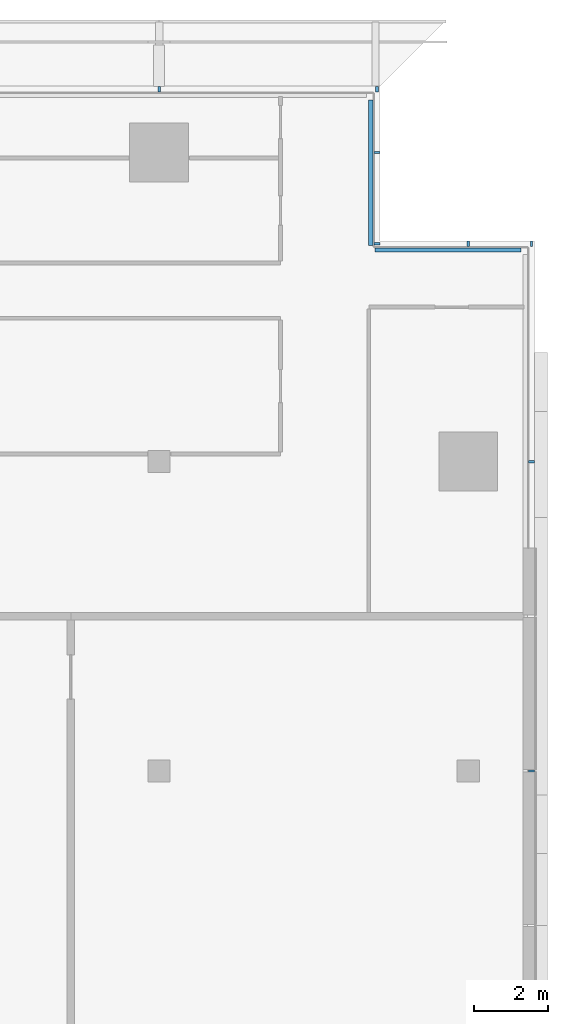
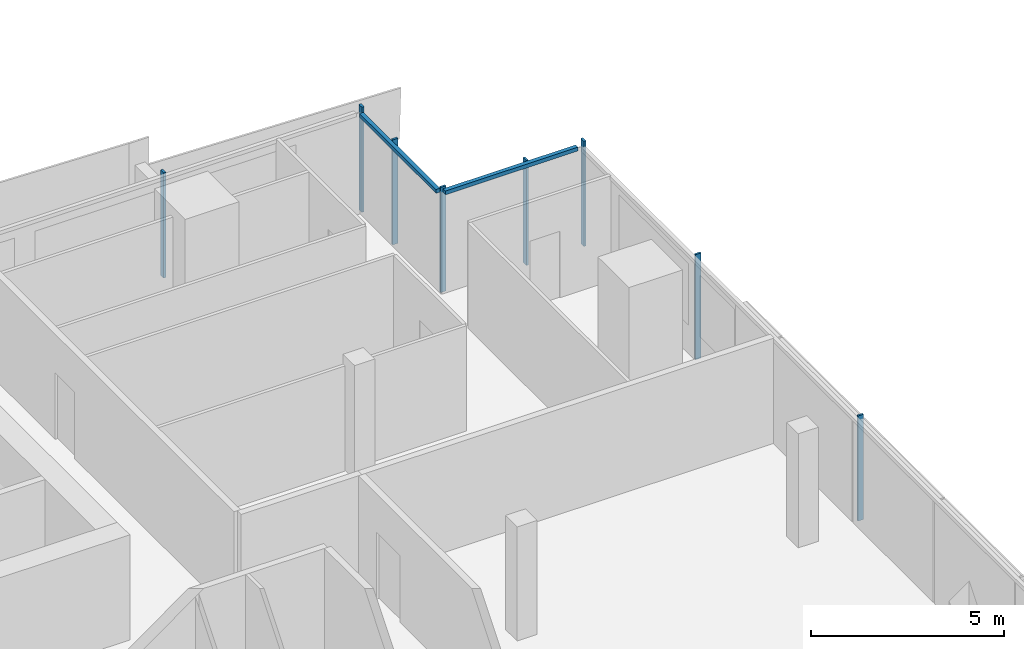
# One storey, part 16 of 31: 10 members, 4 elements without a shape of their own.
"""IFC4 building model written with IfcOpenShell, lengths in metres."""

from ifc_helpers import new_model, si_unit, direction, frame, origin, origin_2d, place, context, subcontext, project, spatial, rectangle, extrude, material, material_profile, profile_set, type_object, element, aggregate, save


model = new_model("IFC4")

# Units and contexts
model_context = context("Model", 3, precision=1e-05, world=origin(), true_north=direction((0.0, 1.0)))
body_context = subcontext(model_context, "Body", "Model", "MODEL_VIEW")
ifc_project = project(units=[si_unit("LENGTHUNIT", "METRE"), si_unit("AREAUNIT", "SQUARE_METRE"), si_unit("VOLUMEUNIT", "CUBIC_METRE"), si_unit("PLANEANGLEUNIT", "RADIAN"), si_unit("MASSUNIT", "GRAM", prefix="KILO")], contexts=[model_context])

# Site, building, storey
site_placement = place(None, origin())
site = spatial("IfcSite", under=ifc_project, at=site_placement, CompositionType="ELEMENT")
building_placement = place(site_placement, origin())
building = spatial("IfcBuilding", under=site, at=building_placement, Name="Saffron Gate Tower", CompositionType="ELEMENT")
storey_placement = place(building_placement, frame((0.0, 0.0, 205.5)))
storey = spatial("IfcBuildingStorey", under=building, at=storey_placement, Name="L49", CompositionType="ELEMENT", Elevation=205.5)

# Curtain wall, members
ifc_material = material(Name="Aluminium, bronze anodised", Category="aluminium")
curtain_wall_type_1 = type_object("IfcCurtainWallType", Name="CWS2 curtain wall side facades", PredefinedType="NOTDEFINED", material=ifc_material)
curtain_wall_1_placement = place(storey_placement, origin())
curtain_wall_1 = element("IfcCurtainWall", 1, at=curtain_wall_1_placement, inside=storey, type_object=curtain_wall_type_1, Name="CWS2 run 4", PredefinedType="NOTDEFINED")
ifc_material_profile_1 = material_profile(ifc_material, rectangle(XDim=0.159912109375, YDim=0.06005859375, at=origin_2d()))
ifc_profile_set_1 = profile_set([ifc_material_profile_1], Name="Aluminium, bronze anodised")
member_type_1 = type_object("IfcMemberType", Name="CWS2 mullion 60x160", PredefinedType="MULLION", material=ifc_profile_set_1)
member_1_placement = place(storey_placement, frame((127.1201171875, 57.0, 0.0), z_axis=(0.0, 0.0, 1.0), x_axis=(-1.0, 0.0, 0.0)))
member_1 = element("IfcMember", 2, at=member_1_placement, type_object=member_type_1, Name="CWS2 mullion 4", PredefinedType="MULLION", context=body_context, shape_type="SweptSolid", body=[
    extrude(rectangle(XDim=0.159912109375, YDim=0.06005859375, at=origin_2d()), origin(), (0.0, 0.0, 1.0), 3.320068359375),
])
member_2_placement = place(storey_placement, frame((127.1201171875, 65.39990234375, 0.0), z_axis=(0.0, 0.0, 1.0), x_axis=(-1.0, 0.0, 0.0)))
member_2 = element("IfcMember", 3, at=member_2_placement, type_object=member_type_1, Name="CWS2 mullion 5", PredefinedType="MULLION", context=body_context, shape_type="SweptSolid", body=[
    extrude(rectangle(XDim=0.159912109375, YDim=0.06005859375, at=origin_2d()), origin(), (0.0, 0.0, 1.0), 3.320068359375),
])
aggregate(curtain_wall_1, [member_1, member_2])

curtain_wall_type_2 = type_object("IfcCurtainWallType", Name="CWS3 curtain wall rear facade", PredefinedType="NOTDEFINED", material=ifc_material)
curtain_wall_2_placement = place(storey_placement, origin())
curtain_wall_2 = element("IfcCurtainWall", 4, at=curtain_wall_2_placement, inside=storey, type_object=curtain_wall_type_2, Name="CWS3 run 7", PredefinedType="NOTDEFINED")
ifc_material_profile_2 = material_profile(ifc_material, rectangle(XDim=0.159912109375, YDim=0.070068359375, at=origin_2d()))
ifc_profile_set_2 = profile_set([ifc_material_profile_2], Name="Aluminium, bronze anodised")
member_type_2 = type_object("IfcMemberType", Name="CWS3 mullion 70x160", PredefinedType="MULLION", material=ifc_profile_set_2)
member_3_placement = place(storey_placement, frame((122.919921875, 75.52001953125, 0.0), z_axis=(0.0, 0.0, 1.0), x_axis=(0.0, -1.0, 0.0)))
member_3 = element("IfcMember", 5, at=member_3_placement, type_object=member_type_2, Name="CWS3 mullion 1", PredefinedType="MULLION", context=body_context, shape_type="SweptSolid", body=[
    extrude(rectangle(XDim=0.159912109375, YDim=0.070068359375, at=origin_2d()), origin(), (0.0, 0.0, 1.0), 3.320068359375),
])
member_4_placement = place(storey_placement, frame((117.0, 75.52001953125, 0.0), z_axis=(0.0, 0.0, 1.0), x_axis=(0.0, -1.0, 0.0)))
member_4 = element("IfcMember", 6, at=member_4_placement, type_object=member_type_2, Name="CWS3 mullion 2", PredefinedType="MULLION", context=body_context, shape_type="SweptSolid", body=[
    extrude(rectangle(XDim=0.159912109375, YDim=0.070068359375, at=origin_2d()), origin(), (0.0, 0.0, 1.0), 3.320068359375),
])
aggregate(curtain_wall_2, [member_3, member_4])

# Curtain wall, member
curtain_wall_type_3 = type_object("IfcCurtainWallType", Name="CWS4 curtain wall corner returns", PredefinedType="NOTDEFINED", material=ifc_material)
curtain_wall_3_placement = place(storey_placement, origin())
curtain_wall_3 = element("IfcCurtainWall", 7, at=curtain_wall_3_placement, inside=storey, type_object=curtain_wall_type_3, Name="CWS4 run 5", PredefinedType="NOTDEFINED")
ifc_material_profile_3 = material_profile(ifc_material, rectangle(XDim=0.1201171875, YDim=0.1201171875, at=origin_2d()))
ifc_profile_set_3 = profile_set([ifc_material_profile_3], Name="Aluminium, bronze anodised")
member_type_3 = type_object("IfcMemberType", Name="CWS4 head transom", PredefinedType="USERDEFINED", material=ifc_profile_set_3)
member_5_placement = place(storey_placement, frame((126.83203125, 71.152099609375, 3.260009765625), z_axis=(-1.0, 0.0, 0.0), x_axis=(0.0, -1.0, 0.0)))
member_5 = element("IfcMember", 8, at=member_5_placement, type_object=member_type_3, Name="CWS4 head transom", ObjectType="TRANSOM", PredefinedType="USERDEFINED", context=body_context, shape_type="SweptSolid", body=[
    extrude(rectangle(XDim=0.1201171875, YDim=0.1201171875, at=origin_2d()), origin(), (0.0, 0.0, 1.0), 3.9599609375),
])

curtain_wall_4_placement = place(storey_placement, origin())
curtain_wall_4 = element("IfcCurtainWall", 9, at=curtain_wall_4_placement, inside=storey, type_object=curtain_wall_type_3, Name="CWS4 run 6", PredefinedType="NOTDEFINED")
member_6_placement = place(storey_placement, frame((122.751953125, 71.27197265625, 3.260009765625), z_axis=(0.0, 1.0, 0.0), x_axis=(-1.0, 0.0, 0.0)))
member_6 = element("IfcMember", 10, at=member_6_placement, type_object=member_type_3, Name="CWS4 head transom", ObjectType="TRANSOM", PredefinedType="USERDEFINED", context=body_context, shape_type="SweptSolid", body=[
    extrude(rectangle(XDim=0.1201171875, YDim=0.1201171875, at=origin_2d()), origin(), (0.0, 0.0, 1.0), 3.9599609375),
])

# Member
ifc_material_profile_4 = material_profile(ifc_material, rectangle(XDim=0.159912109375, YDim=0.06005859375, at=origin_2d()))
ifc_profile_set_4 = profile_set([ifc_material_profile_4], Name="Aluminium, bronze anodised")
member_type_4 = type_object("IfcMemberType", Name="CWS4 mullion 60x160", PredefinedType="MULLION", material=ifc_profile_set_4)
member_7_placement = place(storey_placement, frame((127.1201171875, 71.320068359375, 0.0), z_axis=(0.0, 0.0, 1.0), x_axis=(0.0, -1.0, 0.0)))
member_7 = element("IfcMember", 11, at=member_7_placement, type_object=member_type_4, Name="CWS4 mullion 1", PredefinedType="MULLION", context=body_context, shape_type="SweptSolid", body=[
    extrude(rectangle(XDim=0.159912109375, YDim=0.06005859375, at=origin_2d()), origin(), (0.0, 0.0, 1.0), 3.320068359375),
])

member_8_placement = place(storey_placement, frame((125.39990234375, 71.320068359375, 0.0), z_axis=(0.0, 0.0, 1.0), x_axis=(0.0, -1.0, 0.0)))
member_8 = element("IfcMember", 12, at=member_8_placement, type_object=member_type_4, Name="CWS4 mullion 2", PredefinedType="MULLION", context=body_context, shape_type="SweptSolid", body=[
    extrude(rectangle(XDim=0.159912109375, YDim=0.06005859375, at=origin_2d()), origin(), (0.0, 0.0, 1.0), 3.320068359375),
])

aggregate(curtain_wall_3, [member_7, member_8, member_5])

member_9_placement = place(storey_placement, frame((122.919921875, 71.320068359375, 0.0), z_axis=(0.0, 0.0, 1.0), x_axis=(-1.0, 0.0, 0.0)))
member_9 = element("IfcMember", 13, at=member_9_placement, type_object=member_type_4, Name="CWS4 mullion 1", PredefinedType="MULLION", context=body_context, shape_type="SweptSolid", body=[
    extrude(rectangle(XDim=0.159912109375, YDim=0.06005859375, at=origin_2d()), origin(), (0.0, 0.0, 1.0), 3.320068359375),
])

member_10_placement = place(storey_placement, frame((122.919921875, 73.800048828125, 0.0), z_axis=(0.0, 0.0, 1.0), x_axis=(-1.0, 0.0, 0.0)))
member_10 = element("IfcMember", 14, at=member_10_placement, type_object=member_type_4, Name="CWS4 mullion 2", PredefinedType="MULLION", context=body_context, shape_type="SweptSolid", body=[
    extrude(rectangle(XDim=0.159912109375, YDim=0.06005859375, at=origin_2d()), origin(), (0.0, 0.0, 1.0), 3.320068359375),
])

aggregate(curtain_wall_4, [member_9, member_10, member_6])

save(model, "model.ifc")
